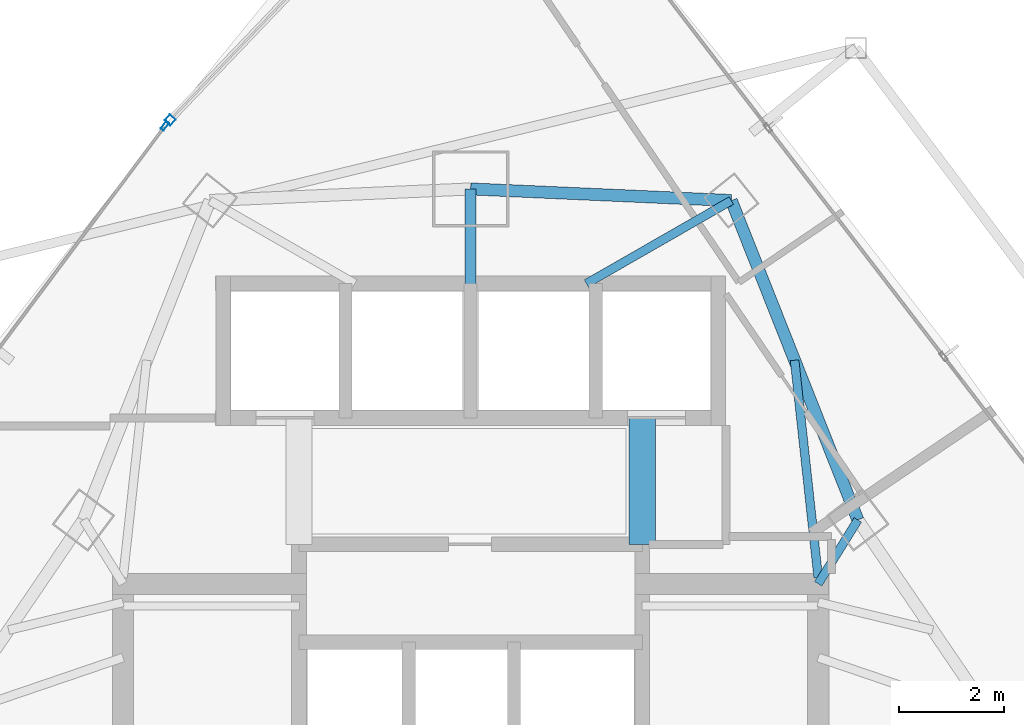
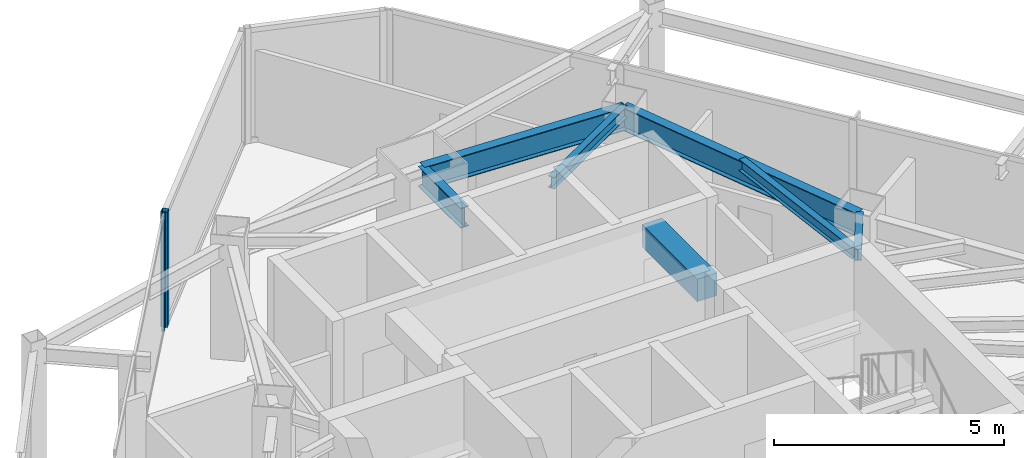
# One storey, part 19 of 29: 7 beams, 2 members, 2 elements without a shape of their own.
"""IFC4 building model written with IfcOpenShell, lengths in metres."""

from ifc_helpers import new_model, si_unit, direction, frame, origin, origin_2d, place, context, subcontext, project, spatial, rectangle, hollow_rectangle, i_section, extrude, material, layer, layer_set, material_profile, profile_set, type_object, element, aggregate, save


model = new_model("IFC4")

# Units and contexts
model_context = context("Model", 3, precision=1e-05, world=origin(), true_north=direction((0.0, 1.0)))
body_context = subcontext(model_context, "Body", "Model", "MODEL_VIEW")
ifc_project = project(units=[si_unit("LENGTHUNIT", "METRE"), si_unit("AREAUNIT", "SQUARE_METRE"), si_unit("VOLUMEUNIT", "CUBIC_METRE"), si_unit("PLANEANGLEUNIT", "RADIAN"), si_unit("MASSUNIT", "GRAM", prefix="KILO")], contexts=[model_context])

# Site, building, storey
site_placement = place(None, origin())
site = spatial("IfcSite", under=ifc_project, at=site_placement, CompositionType="ELEMENT")
building_placement = place(site_placement, origin())
building = spatial("IfcBuilding", under=site, at=building_placement, Name="Orvanel Arch Residences", CompositionType="ELEMENT")
storey_placement = place(building_placement, frame((0.0, 0.0, 163.85009765625)))
storey = spatial("IfcBuildingStorey", under=building, at=storey_placement, Name="L46", CompositionType="ELEMENT", Elevation=163.85009765625)

# Beams
ifc_material_1 = material(Name="Structural steel AS/NZS 3679.1 Grade 300 (300 MPa)", Category="steel")
ifc_material_profile_1 = material_profile(ifc_material_1, i_section(OverallWidth=0.208984375, OverallDepth=0.532958984375, WebThickness=0.01025390625, FlangeThickness=0.015625, at=origin_2d()), Name="530UB92.4")
ifc_profile_set_1 = profile_set([ifc_material_profile_1], Name="Structural steel AS/NZS 3679.1 Grade 300 (300 MPa)")
beam_type_1 = type_object("IfcBeamType", Name="BG-530UB", PredefinedType="BEAM", material=ifc_profile_set_1)
beam_1_placement = place(storey_placement, frame((33.0, 39.550048828125, 2.79296875), z_axis=(0.0, 1.0, 0.0), x_axis=(-1.0, 0.0, 0.0)))
element("IfcBeam", 1, at=beam_1_placement, inside=storey, type_object=beam_type_1, Name="L46 North Radial Girder", PredefinedType="BEAM", context=body_context, shape_type="SweptSolid", body=[
    extrude(i_section(OverallWidth=0.208984375, OverallDepth=0.532958984375, WebThickness=0.01025390625, FlangeThickness=0.015625, at=origin_2d()), origin(), (0.0, 0.0, 1.0), 1.847900390625),
])
ifc_material_profile_2 = material_profile(ifc_material_1, i_section(OverallWidth=0.1650390625, OverallDepth=0.303955078125, WebThickness=0.006103515625, FlangeThickness=0.01025390625, at=origin_2d()), Name="310UB40.4")
ifc_profile_set_2 = profile_set([ifc_material_profile_2], Name="Structural steel AS/NZS 3679.1 Grade 300 (300 MPa)")
beam_type_2 = type_object("IfcBeamType", Name="BJ-310UB", PredefinedType="JOIST", material=ifc_profile_set_2)
beam_2_placement = place(storey_placement, frame((39.60009765625, 33.89990234375, 2.907958984375), z_axis=(0.526843290616, 0.84996243866, 0.0), x_axis=(-0.84996243866, 0.526843290616, 0.0)))
element("IfcBeam", 2, at=beam_2_placement, inside=storey, type_object=beam_type_2, Name="L46 NNE Wing Floor Joist", PredefinedType="JOIST", context=body_context, shape_type="SweptSolid", body=[
    extrude(i_section(OverallWidth=0.1650390625, OverallDepth=0.303955078125, WebThickness=0.006103515625, FlangeThickness=0.01025390625, at=origin_2d()), origin(), (0.0, 0.0, 1.0), 1.42724609375),
])
beam_3_placement = place(storey_placement, frame((39.60009765625, 34.02001953125, 2.907958984375), z_axis=(-0.108261441852, 0.99412245735, 0.0), x_axis=(-0.99412245735, -0.108261441852, 0.0)))
element("IfcBeam", 3, at=beam_3_placement, inside=storey, type_object=beam_type_2, Name="L46 NNE2 Wing Floor Joist", PredefinedType="JOIST", context=body_context, shape_type="SweptSolid", body=[
    extrude(i_section(OverallWidth=0.1650390625, OverallDepth=0.303955078125, WebThickness=0.006103515625, FlangeThickness=0.01025390625, at=origin_2d()), origin(), (0.0, 0.0, 1.0), 4.1494140625),
])
beam_4_placement = place(storey_placement, frame((35.199951171875, 39.60009765625, 2.907958984375), z_axis=(0.86736513383, 0.497672306458, 0.0), x_axis=(-0.497672306458, 0.86736513383, 0.0)))
element("IfcBeam", 4, at=beam_4_placement, inside=storey, type_object=beam_type_2, Name="L46 MNE Wing Floor Joist", PredefinedType="JOIST", context=body_context, shape_type="SweptSolid", body=[
    extrude(i_section(OverallWidth=0.1650390625, OverallDepth=0.303955078125, WebThickness=0.006103515625, FlangeThickness=0.01025390625, at=origin_2d()), origin(), (0.0, 0.0, 1.0), 3.17041015625),
])
ifc_material_2 = material(Name="Concrete S65 (65 MPa)", Category="concrete")
ifc_material_profile_3 = material_profile(ifc_material_2, rectangle(XDim=0.5, YDim=0.60009765625, at=origin_2d()), Name="RC500x600")
ifc_profile_set_3 = profile_set([ifc_material_profile_3], Name="Concrete S65 (65 MPa)")
beam_type_3 = type_object("IfcBeamType", Name="CB-500x600", PredefinedType="LINTEL", material=ifc_profile_set_3)
beam_5_placement = place(storey_placement, frame((36.260009765625, 34.64990234375, 2.760009765625), z_axis=(0.0, 1.0, 0.0), x_axis=(-1.0, 0.0, 0.0)))
element("IfcBeam", 5, at=beam_5_placement, inside=storey, type_object=beam_type_3, Name="L46 East Core Lobby Coupling Lintel Beam", PredefinedType="LINTEL", context=body_context, shape_type="SweptSolid", body=[
    extrude(rectangle(XDim=0.5, YDim=0.60009765625, at=origin_2d()), origin(), (0.0, 0.0, 1.0), 2.400146484375),
])

# Curtain wall, member
ifc_material_3 = material(Name="Bronze-anodised aluminium AA6063-T6", Category="aluminium")
ifc_layer_1 = layer(ifc_material_3, 0.18994140625)
ifc_layer_set_1 = layer_set([ifc_layer_1], Name="Bronze-anodised aluminium AA6063-T6")
curtain_wall_type_1 = type_object("IfcCurtainWallType", Name="CW5-CRN-SYS", PredefinedType="NOTDEFINED", material=ifc_layer_set_1)
curtain_wall_1_placement = place(storey_placement, origin())
curtain_wall_1 = element("IfcCurtainWall", 6, at=curtain_wall_1_placement, inside=storey, type_object=curtain_wall_type_1, Name="L46 CW5-CRN-SYS Unitised Curtain Wall", PredefinedType="NOTDEFINED")
ifc_material_profile_4 = material_profile(ifc_material_3, hollow_rectangle(XDim=0.14990234375, YDim=0.14990234375, WallThickness=0.0048828125, at=origin_2d()), Name="ALU150x150x5")
ifc_profile_set_4 = profile_set([ifc_material_profile_4], Name="Bronze-anodised aluminium AA6063-T6")
member_type_1 = type_object("IfcMemberType", Name="MUL-150x150", PredefinedType="MULLION", material=ifc_profile_set_4)
member_1_placement = place(storey_placement, frame((27.29296875, 42.708251953125, 0.0), z_axis=(0.0, 0.0, 1.0), x_axis=(0.72235820669, -0.69151906787, 0.0)))
member_1 = element("IfcMember", 7, at=member_1_placement, type_object=member_type_1, Name="CW-S5 mullion 2", PredefinedType="MULLION", context=body_context, shape_type="SweptSolid", body=[
    extrude(hollow_rectangle(XDim=0.14990234375, YDim=0.14990234375, WallThickness=0.0048828125, at=origin_2d()), origin(), (0.0, 0.0, 1.0), 3.059814453125),
])
aggregate(curtain_wall_1, [member_1])

ifc_layer_2 = layer(ifc_material_3, 0.179931640625)
ifc_layer_set_2 = layer_set([ifc_layer_2], Name="Bronze-anodised aluminium AA6063-T6")
curtain_wall_type_2 = type_object("IfcCurtainWallType", Name="CW3-MID-SYS", PredefinedType="NOTDEFINED", material=ifc_layer_set_2)
curtain_wall_2_placement = place(storey_placement, origin())
curtain_wall_2 = element("IfcCurtainWall", 8, at=curtain_wall_2_placement, inside=storey, type_object=curtain_wall_type_2, Name="L46 CW3-MID-SYS Unitised Curtain Wall", PredefinedType="NOTDEFINED")
ifc_material_profile_5 = material_profile(ifc_material_3, hollow_rectangle(XDim=0.070068359375, YDim=0.179931640625, WallThickness=0.00439453125, at=origin_2d()), Name="ALU180x70x4.5")
ifc_profile_set_5 = profile_set([ifc_material_profile_5], Name="Bronze-anodised aluminium AA6063-T6")
member_type_2 = type_object("IfcMemberType", Name="MUL-180x70", PredefinedType="MULLION", material=ifc_profile_set_5)
member_2_placement = place(storey_placement, frame((27.194091796875, 42.595947265625, 0.0), z_axis=(0.0, 0.0, 1.0), x_axis=(0.801448180864, -0.598064221794, 0.0)))
member_2 = element("IfcMember", 9, at=member_2_placement, type_object=member_type_2, Name="CW-S3 mullion 1", PredefinedType="MULLION", context=body_context, shape_type="SweptSolid", body=[
    extrude(hollow_rectangle(XDim=0.070068359375, YDim=0.179931640625, WallThickness=0.00439453125, at=origin_2d()), origin(), (0.0, 0.0, 1.0), 3.059814453125),
])
aggregate(curtain_wall_2, [member_2])

# Beams
ifc_material_profile_6 = material_profile(ifc_material_1, i_section(OverallWidth=0.22900390625, OverallDepth=0.612060546875, WebThickness=0.011962890625, FlangeThickness=0.01953125, at=origin_2d()), Name="610UB125")
ifc_profile_set_6 = profile_set([ifc_material_profile_6], Name="Structural steel AS/NZS 3679.1 Grade 300 (300 MPa)")
beam_type_4 = type_object("IfcBeamType", Name="SP-610UB", PredefinedType="SPANDREL", material=ifc_profile_set_6)
beam_6_placement = place(storey_placement, frame((40.35205078125, 35.113037109375, 2.75390625), z_axis=(-0.368233143579, 0.929733484376, 0.0), x_axis=(-0.929733484376, -0.368233143579, 0.0)))
element("IfcBeam", 10, at=beam_6_placement, inside=storey, type_object=beam_type_4, Name="L46 Perimeter Spandrel Beam 13", PredefinedType="SPANDREL", context=body_context, shape_type="SweptSolid", body=[
    extrude(i_section(OverallWidth=0.22900390625, OverallDepth=0.612060546875, WebThickness=0.011962890625, FlangeThickness=0.01953125, at=origin_2d()), origin(), (0.0, 0.0, 1.0), 6.523193359375),
])
beam_7_placement = place(storey_placement, frame((37.949951171875, 41.177978515625, 2.75390625), z_axis=(-0.999014049296, 0.044395149614, 0.0), x_axis=(-0.044395149614, -0.999014049296, 0.0)))
element("IfcBeam", 11, at=beam_7_placement, inside=storey, type_object=beam_type_4, Name="L46 Perimeter Spandrel Beam 14", PredefinedType="SPANDREL", context=body_context, shape_type="SweptSolid", body=[
    extrude(i_section(OverallWidth=0.22900390625, OverallDepth=0.612060546875, WebThickness=0.011962890625, FlangeThickness=0.01953125, at=origin_2d()), origin(), (0.0, 0.0, 1.0), 4.954833984375),
])

save(model, "model.ifc")
